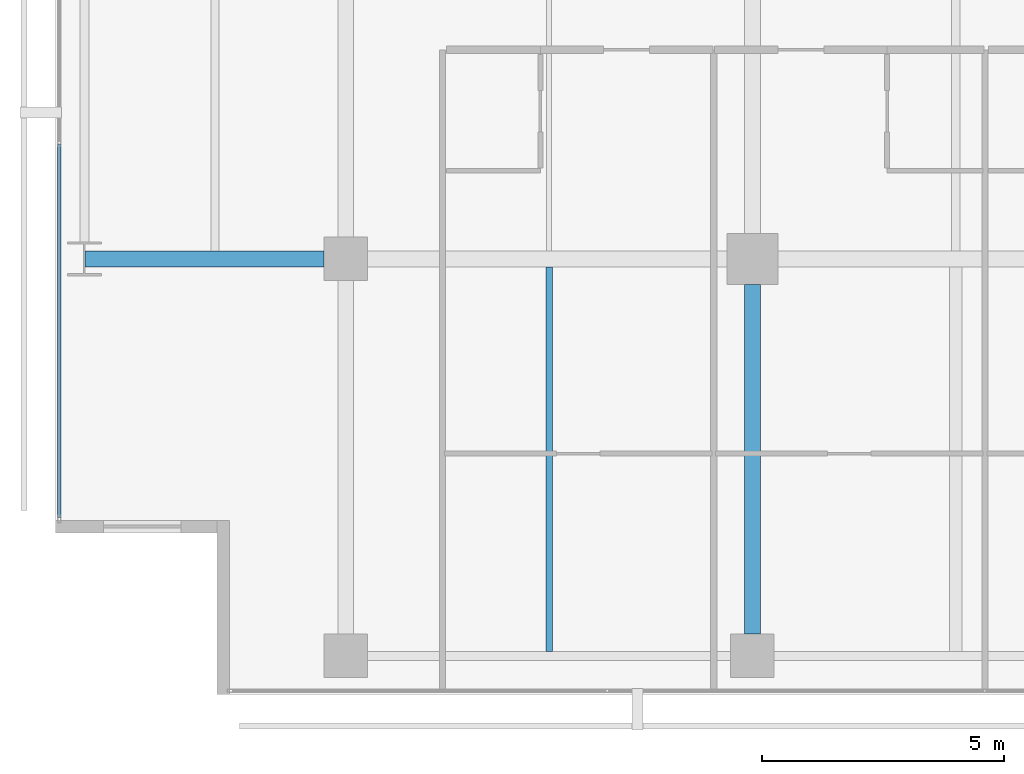
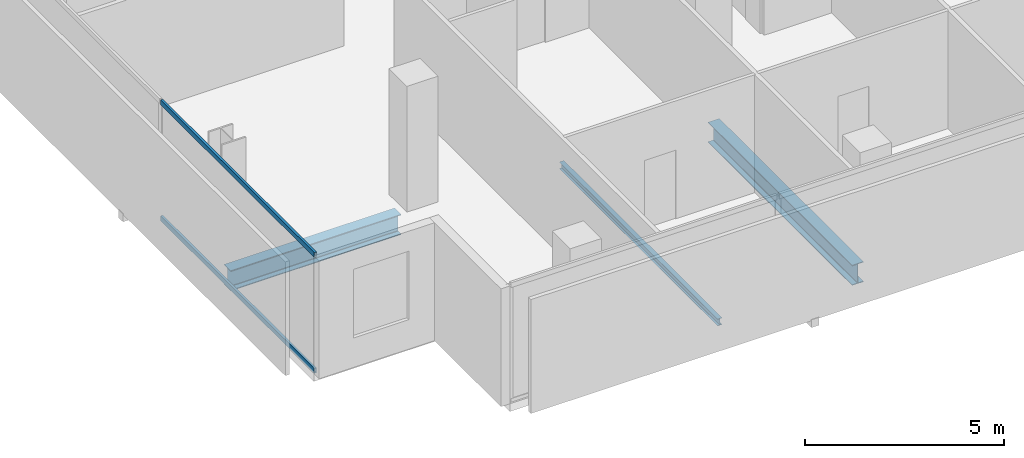
# One storey, part 4 of 40: 3 beams, 2 members, 1 element without a shape of its own.
"""IFC4 building model written with IfcOpenShell, lengths in metres."""

from ifc_helpers import new_model, si_unit, direction, frame, origin, origin_2d, place, context, subcontext, project, spatial, hollow_rectangle, i_section, extrude, material, layer, layer_set, material_profile, profile_set, type_object, element, aggregate, save


model = new_model("IFC4")

# Units and contexts
model_context = context("Model", 3, precision=1e-05, world=origin(), true_north=direction((0.0, 1.0)))
body_context = subcontext(model_context, "Body", "Model", "MODEL_VIEW")
ifc_project = project(units=[si_unit("LENGTHUNIT", "METRE"), si_unit("AREAUNIT", "SQUARE_METRE"), si_unit("VOLUMEUNIT", "CUBIC_METRE"), si_unit("PLANEANGLEUNIT", "RADIAN"), si_unit("MASSUNIT", "GRAM", prefix="KILO")], contexts=[model_context])

# Site, building, storey
site_placement = place(None, origin())
site = spatial("IfcSite", under=ifc_project, at=site_placement, CompositionType="ELEMENT")
building_placement = place(site_placement, origin())
building = spatial("IfcBuilding", under=site, at=building_placement, Name="Maruvema Waterfront Hotel and Observation Tower", CompositionType="ELEMENT")
storey_placement = place(building_placement, frame((0.0, 0.0, 57.75)))
storey = spatial("IfcBuildingStorey", under=building, at=storey_placement, Name="L13", CompositionType="ELEMENT", Elevation=57.75)

# Curtain wall, members
ifc_material_1 = material(Name="Anodised bronze aluminium and solar-control low-E IGU", Category="aluminium")
ifc_layer = layer(ifc_material_1, 0.159912109375, Name="Zone 1 Bronze Inner Thermal Curtain Wall System CW-02")
ifc_layer_set = layer_set([ifc_layer], Name="Anodised bronze aluminium and solar-control low-E IGU")
curtain_wall_type = type_object("IfcCurtainWallType", Name="Zone 1 Bronze Inner Thermal Curtain Wall System CW-02", PredefinedType="USERDEFINED", material=ifc_layer_set)
curtain_wall_placement = place(storey_placement, origin())
curtain_wall = element("IfcCurtainWall", 1, at=curtain_wall_placement, inside=storey, type_object=curtain_wall_type, Name="L13 Curtain Wall CW-L13-W", ObjectType="UNITISED CURTAIN WALL", PredefinedType="USERDEFINED")
ifc_material_2 = material(Name="Anodised architectural bronze aluminium", Category="aluminium")
ifc_material_profile_1 = material_profile(ifc_material_2, hollow_rectangle(XDim=0.070068359375, YDim=0.14990234375, WallThickness=0.00390625, at=origin_2d()), Name="ALU-T70x150")
ifc_profile_set_1 = profile_set([ifc_material_profile_1], Name="Anodised architectural bronze aluminium")
member_type = type_object("IfcMemberType", Name="Curtain Wall Horizontal Transom ALU-T70x150", PredefinedType="USERDEFINED", material=ifc_profile_set_1)
member_1_placement = place(storey_placement, frame((10.8798828125, 11.3701171875, 0.030029296875), z_axis=(0.0, -1.0, 0.0), x_axis=(1.0, 0.0, 0.0)))
member_1 = element("IfcMember", 2, at=member_1_placement, type_object=member_type, Name="CW-02 transom 6.1", ObjectType="TRANSOM", PredefinedType="USERDEFINED", context=body_context, shape_type="SweptSolid", body=[
    extrude(hollow_rectangle(XDim=0.070068359375, YDim=0.14990234375, WallThickness=0.00390625, at=origin_2d()), origin(), (0.0, 0.0, 1.0), 7.710205078125),
])
member_2_placement = place(storey_placement, frame((10.8798828125, 11.3701171875, 3.580078125), z_axis=(0.0, -1.0, 0.0), x_axis=(1.0, 0.0, 0.0)))
member_2 = element("IfcMember", 3, at=member_2_placement, type_object=member_type, Name="CW-02 transom 6.2", ObjectType="TRANSOM", PredefinedType="USERDEFINED", context=body_context, shape_type="SweptSolid", body=[
    extrude(hollow_rectangle(XDim=0.070068359375, YDim=0.14990234375, WallThickness=0.00390625, at=origin_2d()), origin(), (0.0, 0.0, 1.0), 7.710205078125),
])
aggregate(curtain_wall, [member_1, member_2])

# Beams
ifc_material_3 = material(Name="Steel ASTM A572 Grade 50", Category="steel")
ifc_material_profile_2 = material_profile(ifc_material_3, i_section(OverallWidth=0.326904296875, OverallDepth=0.6220703125, WebThickness=0.015380859375, FlangeThickness=0.0244140625, FilletRadius=0.01806640625, at=origin_2d()), Name="W610x195.0")
ifc_profile_set_2 = profile_set([ifc_material_profile_2], Name="Steel ASTM A572 Grade 50")
beam_type_1 = type_object("IfcBeamType", Name="Primary Floor Girder W610x195.0", PredefinedType="BEAM", material=ifc_profile_set_2)
beam_1_placement = place(storey_placement, frame((11.4140625, 9.0, -0.551025390625), z_axis=(1.0, 0.0, 0.0), x_axis=(0.0, 1.0, 0.0)))
element("IfcBeam", 4, at=beam_1_placement, inside=storey, type_object=beam_type_1, Name="L13 Floor Girder EW-06", PredefinedType="BEAM", context=body_context, shape_type="SweptSolid", body=[
    extrude(i_section(OverallWidth=0.326904296875, OverallDepth=0.6220703125, WebThickness=0.015380859375, FlangeThickness=0.0244140625, FilletRadius=0.01806640625, at=origin_2d()), origin(), (0.0, 0.0, 1.0), 4.93603515625),
])
beam_2_placement = place(storey_placement, frame((25.199951171875, 1.25, -0.551025390625), z_axis=(0.0, 1.0, 0.0), x_axis=(-1.0, 0.0, 0.0)))
element("IfcBeam", 5, at=beam_2_placement, inside=storey, type_object=beam_type_1, Name="L13 Floor Girder NS-11", PredefinedType="BEAM", context=body_context, shape_type="SweptSolid", body=[
    extrude(i_section(OverallWidth=0.326904296875, OverallDepth=0.6220703125, WebThickness=0.015380859375, FlangeThickness=0.0244140625, FilletRadius=0.01806640625, at=origin_2d()), origin(), (0.0, 0.0, 1.0), 7.22509765625),
])
ifc_material_4 = material(Name="Steel ASTM A572 Grade 50", Category="steel")
ifc_material_profile_3 = material_profile(ifc_material_4, i_section(OverallWidth=0.133056640625, OverallDepth=0.20703125, WebThickness=0.005859375, FlangeThickness=0.00830078125, FilletRadius=0.010009765625, at=origin_2d()), Name="W200x26.6")
ifc_profile_set_3 = profile_set([ifc_material_profile_3], Name="Steel ASTM A572 Grade 50")
beam_type_2 = type_object("IfcBeamType", Name="Secondary Floor Joist W200x26.6", PredefinedType="JOIST", material=ifc_profile_set_3)
beam_3_placement = place(storey_placement, frame((21.0, 0.89501953125, -0.343505859375), z_axis=(0.0, 1.0, 0.0), x_axis=(-1.0, 0.0, 0.0)))
element("IfcBeam", 6, at=beam_3_placement, inside=storey, type_object=beam_type_2, Name="L13 Secondary Floor Joist JS-05", PredefinedType="JOIST", context=body_context, shape_type="SweptSolid", body=[
    extrude(i_section(OverallWidth=0.133056640625, OverallDepth=0.20703125, WebThickness=0.005859375, FlangeThickness=0.00830078125, FilletRadius=0.010009765625, at=origin_2d()), origin(), (0.0, 0.0, 1.0), 7.94140625),
])

save(model, "model.ifc")
